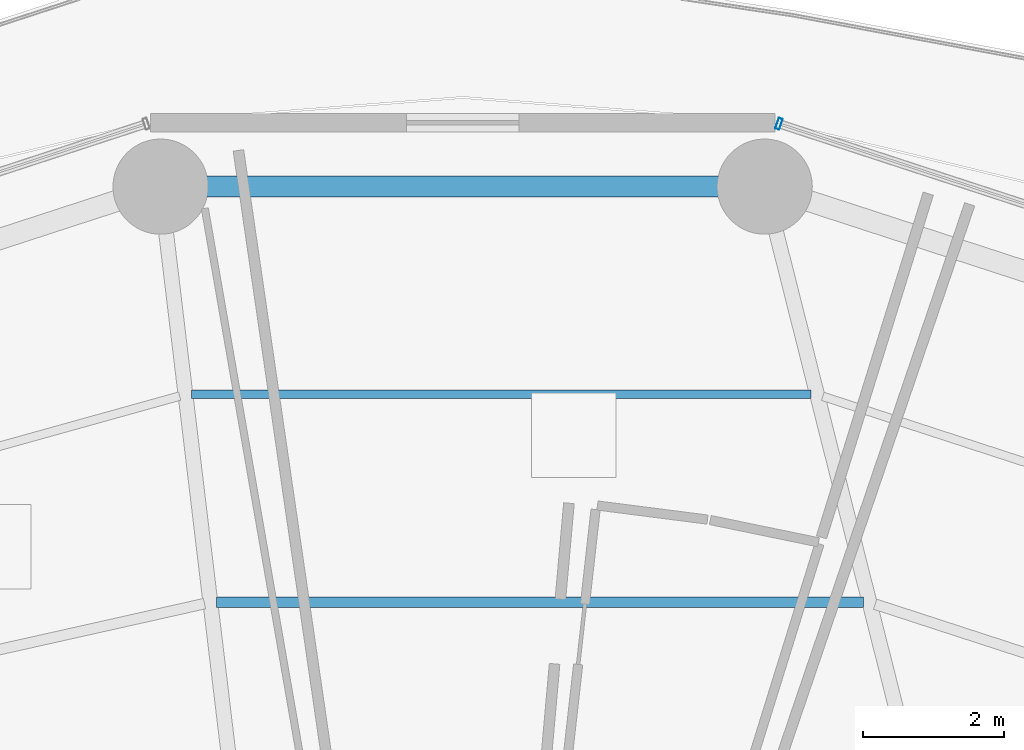
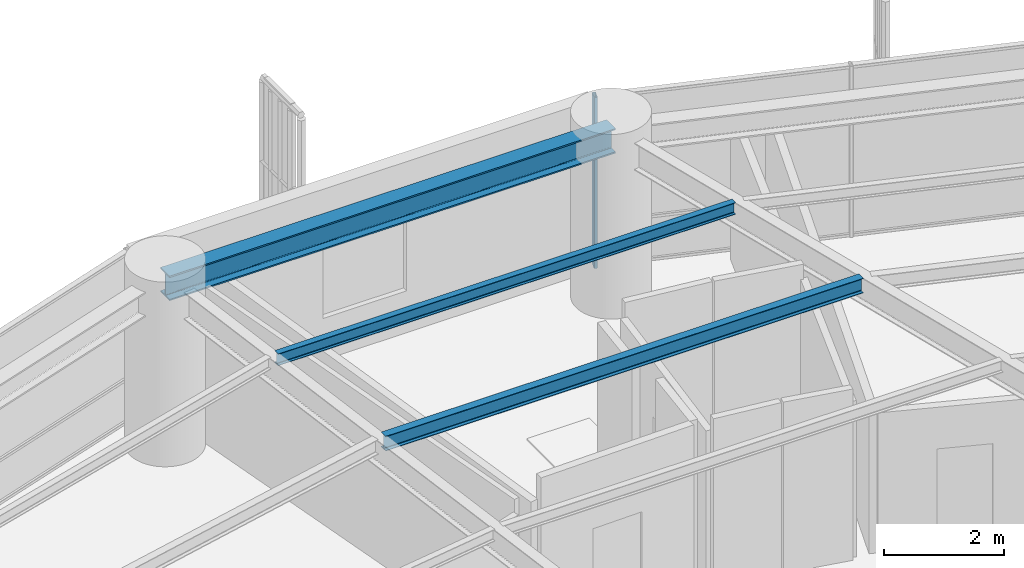
# One storey, part 22 of 35: 3 beams, 1 member, 1 element without a shape of its own.
"""IFC4 building model written with IfcOpenShell, lengths in metres."""

from ifc_helpers import new_model, si_unit, direction, frame, origin, origin_2d, place, context, subcontext, project, spatial, hollow_rectangle, i_section, extrude, material, layer, layer_set, material_profile, profile_set, type_object, element, aggregate, save


model = new_model("IFC4")

# Units and contexts
model_context = context("Model", 3, precision=1e-05, world=origin(), true_north=direction((0.0, 1.0)))
body_context = subcontext(model_context, "Body", "Model", "MODEL_VIEW")
ifc_project = project(units=[si_unit("LENGTHUNIT", "METRE"), si_unit("AREAUNIT", "SQUARE_METRE"), si_unit("VOLUMEUNIT", "CUBIC_METRE"), si_unit("PLANEANGLEUNIT", "RADIAN"), si_unit("MASSUNIT", "GRAM", prefix="KILO")], contexts=[model_context])

# Site, building, storey
site_placement = place(None, origin())
site = spatial("IfcSite", under=ifc_project, at=site_placement, CompositionType="ELEMENT")
building_placement = place(site_placement, origin())
building = spatial("IfcBuilding", under=site, at=building_placement, Name="Kelanora Arch Commons", CompositionType="ELEMENT")
storey_placement = place(building_placement, frame((0.0, 0.0, 87.60009765625)))
storey = spatial("IfcBuildingStorey", under=building, at=storey_placement, Name="L22", CompositionType="ELEMENT", Elevation=87.60009765625)

# Beams
ifc_material_1 = material(Name="Steel S355", Category="steel")
ifc_material_profile_1 = material_profile(ifc_material_1, i_section(OverallWidth=0.14990234375, OverallDepth=0.300048828125, WebThickness=0.007080078125, FlangeThickness=0.0107421875, FilletRadius=0.014892578125, at=origin_2d()), Name="IPE300")
ifc_profile_set_1 = profile_set([ifc_material_profile_1], Name="Steel S355")
beam_type_1 = type_object("IfcBeamType", Name="BM-JST-01", PredefinedType="JOIST", material=ifc_profile_set_1)
beam_1_placement = place(storey_placement, frame((79.686279296875, 73.8466796875, 3.33984375), z_axis=(-1.0, 0.0, 0.0), x_axis=(0.0, -1.0, 0.0)))
element("IfcBeam", 1, at=beam_1_placement, inside=storey, type_object=beam_type_1, Name="Secondary Chord Joist BJB-08 L22", PredefinedType="JOIST", context=body_context, shape_type="SweptSolid", body=[
    extrude(i_section(OverallWidth=0.14990234375, OverallDepth=0.300048828125, WebThickness=0.007080078125, FlangeThickness=0.0107421875, FilletRadius=0.014892578125, at=origin_2d()), origin(), (0.0, 0.0, 1.0), 9.1806640625),
])
ifc_material_profile_2 = material_profile(ifc_material_1, i_section(OverallWidth=0.1201171875, OverallDepth=0.239990234375, WebThickness=0.006103515625, FlangeThickness=0.009765625, FilletRadius=0.014892578125, at=origin_2d()), Name="IPE240")
ifc_profile_set_2 = profile_set([ifc_material_profile_2], Name="Steel S355")
beam_type_2 = type_object("IfcBeamType", Name="BM-JST-02", PredefinedType="JOIST", material=ifc_profile_set_2)
beam_2_placement = place(storey_placement, frame((78.943603515625, 76.795654296875, 3.369873046875), z_axis=(-1.0, 0.0, 0.0), x_axis=(0.0, -1.0, 0.0)))
element("IfcBeam", 2, at=beam_2_placement, inside=storey, type_object=beam_type_2, Name="Secondary Chord Joist BJC-08 L22", PredefinedType="JOIST", context=body_context, shape_type="SweptSolid", body=[
    extrude(i_section(OverallWidth=0.1201171875, OverallDepth=0.239990234375, WebThickness=0.006103515625, FlangeThickness=0.009765625, FilletRadius=0.014892578125, at=origin_2d()), origin(), (0.0, 0.0, 1.0), 8.791015625),
])
ifc_material_profile_3 = material_profile(ifc_material_1, i_section(OverallWidth=0.300048828125, OverallDepth=0.5, WebThickness=0.014404296875, FlangeThickness=0.028076171875, FilletRadius=0.027099609375, at=origin_2d()), Name="HEB500")
ifc_profile_set_3 = profile_set([ifc_material_profile_3], Name="Steel S355")
beam_type_3 = type_object("IfcBeamType", Name="BM-SPN-Z2", PredefinedType="SPANDREL", material=ifc_profile_set_3)
beam_3_placement = place(storey_placement, frame((78.28564453125, 79.74462890625, 3.239990234375), z_axis=(-1.0, 0.0, 0.0), x_axis=(0.0, -1.0, 0.0)))
element("IfcBeam", 3, at=beam_3_placement, inside=storey, type_object=beam_type_3, Name="Perimeter Spandrel Beam BS-08 L22", PredefinedType="SPANDREL", context=body_context, shape_type="SweptSolid", body=[
    extrude(i_section(OverallWidth=0.300048828125, OverallDepth=0.5, WebThickness=0.014404296875, FlangeThickness=0.028076171875, FilletRadius=0.027099609375, at=origin_2d()), origin(), (0.0, 0.0, 1.0), 8.5712890625),
])

# Curtain wall, member
ifc_material_2 = material(Name="Terracotta ceramic-fritted low-E glass and aluminium", Category="masonry")
ifc_layer = layer(ifc_material_2, 0.159912109375)
ifc_layer_set = layer_set([ifc_layer], Name="Terracotta ceramic-fritted low-E glass and aluminium")
curtain_wall_type = type_object("IfcCurtainWallType", Name="CW-SYS-01", PredefinedType="NOTDEFINED", material=ifc_layer_set)
curtain_wall_placement = place(storey_placement, origin())
curtain_wall = element("IfcCurtainWall", 4, at=curtain_wall_placement, inside=storey, type_object=curtain_wall_type, Name="Unitised Curtain Wall L22-B03", PredefinedType="NOTDEFINED")
ifc_material_3 = material(Name="Powder-coated aluminium terracotta", Category="masonry")
ifc_material_profile_4 = material_profile(ifc_material_3, hollow_rectangle(XDim=0.159912109375, YDim=0.06005859375, WallThickness=0.0048828125, InnerFilletRadius=0.0048828125, OuterFilletRadius=0.010009765625, at=origin_2d()), Name="CWM160x60")
ifc_profile_set_4 = profile_set([ifc_material_profile_4], Name="Powder-coated aluminium terracotta")
member_type = type_object("IfcMemberType", Name="CWM-STD", PredefinedType="MULLION", material=ifc_profile_set_4)
member_placement = place(storey_placement, frame((78.48828125, 80.636474609375, 0.0), z_axis=(0.0, 0.0, 1.0), x_axis=(-0.31080470294, -0.950473795867, 0.0)))
member = element("IfcMember", 5, at=member_placement, type_object=member_type, Name="CW-01 mullion 3", PredefinedType="MULLION", context=body_context, shape_type="SweptSolid", body=[
    extrude(hollow_rectangle(XDim=0.159912109375, YDim=0.06005859375, WallThickness=0.0048828125, InnerFilletRadius=0.0048828125, OuterFilletRadius=0.010009765625, at=origin_2d()), origin(), (0.0, 0.0, 1.0), 3.474853515625),
])
aggregate(curtain_wall, [member])

save(model, "model.ifc")
